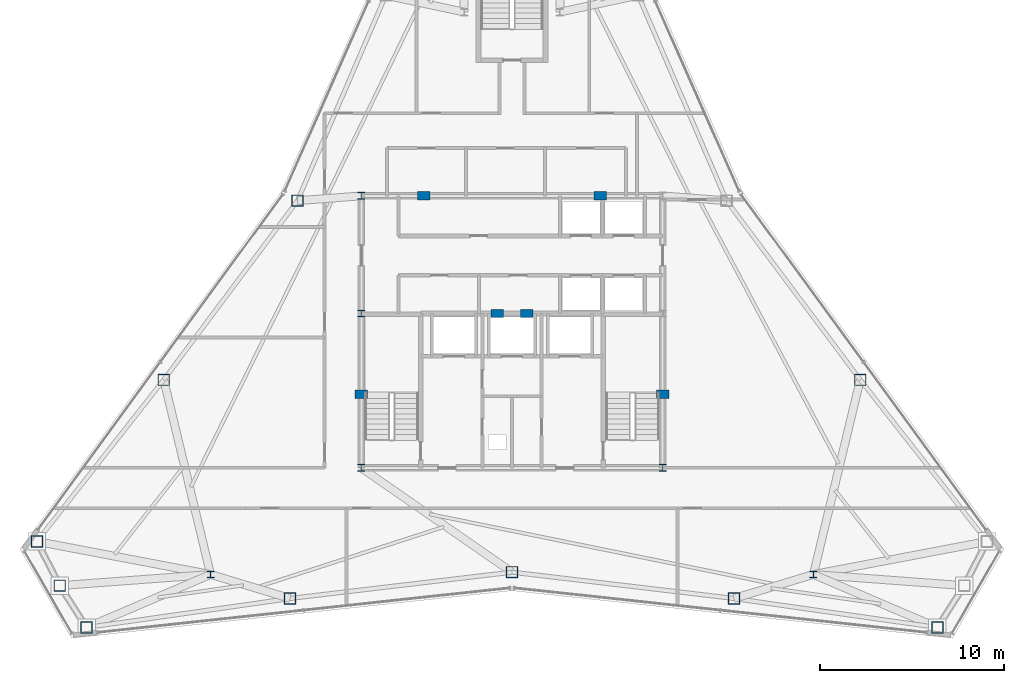
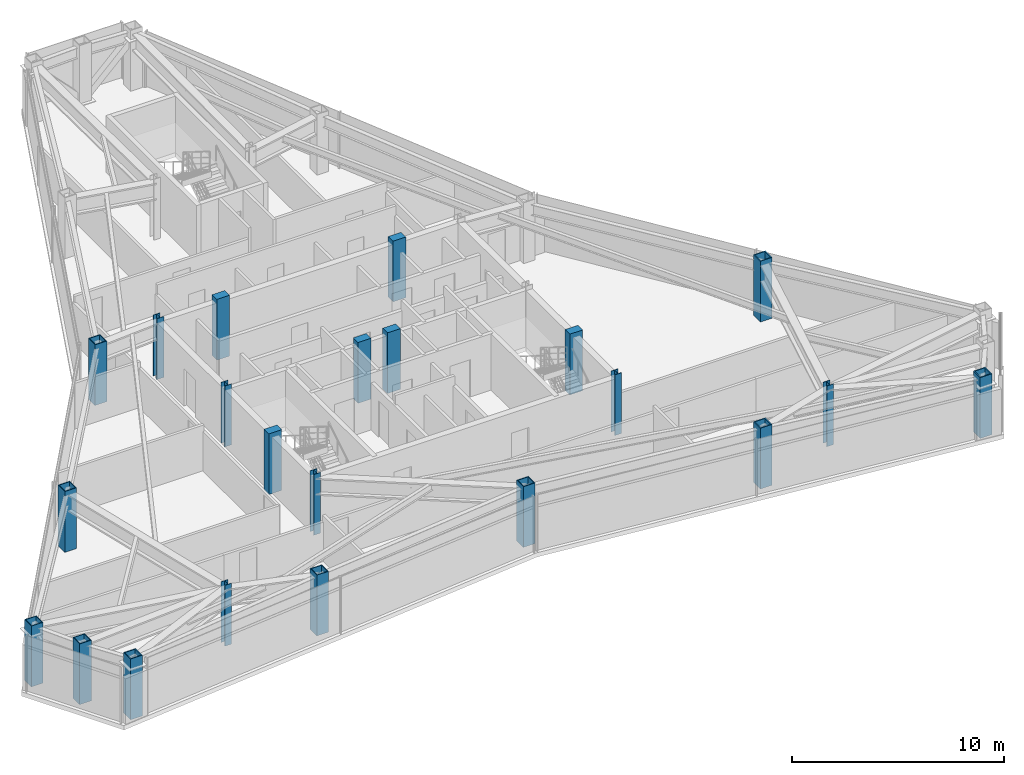
# One storey, part 1 of 12: 22 columns.
"""IFC4 building model written with IfcOpenShell, lengths in metres."""

import ifcopenshell
import ifcopenshell.guid

model = None  # the IFC model being written
_history = None  # IfcOwnerHistory: only IFC2X3 demands one
_inside = {}  # id of a spatial element -> (the spatial element, [elements in it])
_under = {}  # id of a project, library or spatial element -> (it, [spatial elements below it])
_declared = {}  # id of a project -> (the project, [libraries it declares])
_typed = {}  # id of a type object -> (the type object, [elements of that type])
_made_of = {}  # id of a material, layer set ... -> (it, [elements and type objects made of it])


def new_model(schema):
    """Start an empty IFC model of exactly this schema.

    Asked for "IFC4X3", IfcOpenShell would pick the latest addendum, in which some entities
    have other attributes; the version numbers below select the first issue.
    IFC2X3 requires an IfcOwnerHistory on every rooted entity: one is made here for all.
    """
    global model, _history
    if schema == "IFC4X3":
        model = ifcopenshell.file(schema_version=(4, 3, 0, 0))
    else:
        model = ifcopenshell.file(schema=schema)
    _inside.clear()
    _under.clear()
    _declared.clear()
    _typed.clear()
    _made_of.clear()
    _history = None
    if model.schema == "IFC2X3":
        org = make("IfcOrganization", Name="unknown")
        user = make(
            "IfcPersonAndOrganization",
            ThePerson=make("IfcPerson", FamilyName="unknown"),
            TheOrganization=org,
        )
        app = make(
            "IfcApplication",
            ApplicationDeveloper=org,
            Version="unknown",
            ApplicationFullName="unknown",
            ApplicationIdentifier="unknown",
        )
        _history = make(
            "IfcOwnerHistory",
            OwningUser=user,
            OwningApplication=app,
            ChangeAction="ADDED",
            CreationDate=0,
        )
    return model


def make(cls, **values):
    """One entity of the class cls with the attributes given. An attribute that is None is left unset."""
    return model.create_entity(
        cls, **{name: value for name, value in values.items() if value is not None}
    )


def rooted(cls, **values):
    """An entity with a GlobalId (a new one), such as an element, a storey or a relation."""
    return make(cls, GlobalId=ifcopenshell.guid.new(), OwnerHistory=_history, **values)


def si_unit(unit_type, name, prefix=None):
    """IfcSIUnit, for example si_unit("LENGTHUNIT", "METRE", prefix="MILLI")."""
    return make("IfcSIUnit", UnitType=unit_type, Prefix=prefix, Name=name)


def assignment(units):
    """IfcUnitAssignment: the units of a project."""
    return None if units is None else make("IfcUnitAssignment", Units=units)


def point(xyz):
    """IfcCartesianPoint."""
    return None if xyz is None else make("IfcCartesianPoint", Coordinates=xyz)


def direction(xyz):
    """IfcDirection."""
    return None if xyz is None else make("IfcDirection", DirectionRatios=xyz)


def frame(location, z_axis=None, x_axis=None):
    """IfcAxis2Placement3D, a coordinate frame: its origin and axes. An axis left out is left unset."""
    return make(
        "IfcAxis2Placement3D",
        Location=point(location),
        Axis=direction(z_axis),
        RefDirection=direction(x_axis),
    )


def frame_2d(location, x_axis=None):
    """IfcAxis2Placement2D, a coordinate frame in the plane: its origin and x axis."""
    return make(
        "IfcAxis2Placement2D", Location=point(location), RefDirection=direction(x_axis)
    )


def origin():
    """The frame at (0, 0, 0) with its axes left unset."""
    return frame((0.0, 0.0, 0.0))


def origin_2d():
    """The frame at (0, 0) in the plane with its x axis left unset."""
    return frame_2d((0.0, 0.0))


def place(relative_to, where):
    """IfcLocalPlacement: puts the frame where relative to a parent placement (None: the world)."""
    return make(
        "IfcLocalPlacement", PlacementRelTo=relative_to, RelativePlacement=where
    )


def context(
    kind, dimensions, precision=None, world=None, true_north=None, identifier=None
):
    """IfcGeometricRepresentationContext, for example the 3D "Model" context."""
    return make(
        "IfcGeometricRepresentationContext",
        ContextIdentifier=identifier,
        ContextType=kind,
        CoordinateSpaceDimension=dimensions,
        Precision=precision,
        WorldCoordinateSystem=world,
        TrueNorth=true_north,
    )


def subcontext(parent, identifier, kind, view, scale=None):
    """IfcGeometricRepresentationSubContext, for example "Body" below "Model"."""
    return make(
        "IfcGeometricRepresentationSubContext",
        ContextIdentifier=identifier,
        ContextType=kind,
        ParentContext=parent,
        TargetScale=scale,
        TargetView=view,
    )


def project(units=None, contexts=None):
    """IfcProject with its units and contexts."""
    return rooted(
        "IfcProject",
        Name="project",
        RepresentationContexts=contexts,
        UnitsInContext=assignment(units),
    )


def spatial(cls, under=None, at=None, **own):
    """A site, building, storey or space (cls), placed at a placement, below another one or the project."""
    s = rooted(cls, ObjectPlacement=at, **own)
    if under is not None:
        _under.setdefault(under.id(), (under, []))[1].append(s)
    return s


def profile(cls, at=None, kind="AREA", **sizes):
    """A parametric profile (cls). Its sizes go by their IFC names, for example OverallWidth=200.0."""
    return make(cls, ProfileType=kind, Position=at, **sizes)


def rectangle(**sizes):
    """IfcRectangleProfileDef."""
    return profile("IfcRectangleProfileDef", **sizes)


def hollow_rectangle(**sizes):
    """IfcRectangleHollowProfileDef."""
    return profile("IfcRectangleHollowProfileDef", **sizes)


def i_section(**sizes):
    """IfcIShapeProfileDef."""
    return profile("IfcIShapeProfileDef", **sizes)


def extrude(swept, where, along, depth):
    """IfcExtrudedAreaSolid: the profile swept, set in the frame where, extruded along a direction by depth."""
    return make(
        "IfcExtrudedAreaSolid",
        SweptArea=swept,
        Position=where,
        ExtrudedDirection=direction(along),
        Depth=depth,
    )


def shape(context_of_items, identifier, shape_type, items):
    """IfcShapeRepresentation: the items that make up one representation, for example the "Body"."""
    return make(
        "IfcShapeRepresentation",
        ContextOfItems=context_of_items,
        RepresentationIdentifier=identifier,
        RepresentationType=shape_type,
        Items=items,
    )


def material(Name=None, Category=None):
    """IfcMaterial."""
    return make("IfcMaterial", Name=Name, Category=Category)


def material_profile(
    of_material, cross_section, Name=None, Category=None, Priority=None
):
    """IfcMaterialProfile: a cross section and its material."""
    return make(
        "IfcMaterialProfile",
        Name=Name,
        Material=of_material,
        Profile=cross_section,
        Priority=Priority,
        Category=Category,
    )


def profile_set(profiles, Name=None, composite=None):
    """IfcMaterialProfileSet."""
    return make(
        "IfcMaterialProfileSet",
        Name=Name,
        MaterialProfiles=profiles,
        CompositeProfile=composite,
    )


def made_of(thing, what):
    """Note that an element or type object is made of a material, layer set ...; save() writes the relation."""
    if what is not None:
        _made_of.setdefault(what.id(), (what, []))[1].append(thing)
    return thing


def type_object(cls, material=None, **own):
    """A type object (cls), such as IfcWallType, which elements share."""
    return made_of(rooted(cls, **own), material)


def element(
    cls,
    number,
    at=None,
    inside=None,
    cuts=None,
    type_object=None,
    material=None,
    context=None,
    identifier="Body",
    shape_type=None,
    held_by="IfcProductDefinitionShape",
    body=None,
    shapes=None,
    **own,
):
    """One element of the class cls, such as IfcWall. Its Tag is "e" and its number.

    at: its placement. inside: the storey or other place that contains it. cuts: it is an
    opening in that element (IfcRelVoidsElement). A single representation is given by context,
    identifier, shape_type and body (its items); several are given by shapes. held_by: the class
    of the entity that holds the representations. save() writes the other relations.
    """
    e = rooted(cls, Tag="e%d" % number, ObjectPlacement=at, **own)
    if body is not None:
        shapes = [shape(context, identifier, shape_type, body)]
    if shapes is not None:
        e.Representation = make(held_by, Representations=shapes)
    if inside is not None:
        _inside.setdefault(inside.id(), (inside, []))[1].append(e)
    if cuts is not None:
        rooted(
            "IfcRelVoidsElement", RelatingBuildingElement=cuts, RelatedOpeningElement=e
        )
    if type_object is not None:
        _typed.setdefault(type_object.id(), (type_object, []))[1].append(e)
    return made_of(e, material)


def aggregate(whole, parts):
    """IfcRelAggregates: a whole, such as a stair, and the parts it consists of."""
    return rooted("IfcRelAggregates", RelatingObject=whole, RelatedObjects=parts)


def save(model, path):
    """Write the relations noted so far, then the file.

    IfcRelAggregates (storeys below a building ...), IfcRelContainedInSpatialStructure (elements
    in a storey), IfcRelDefinesByType, IfcRelAssociatesMaterial and IfcRelDeclares: one each for
    every whole, place, type object, material and project.
    """
    for whole, parts in _under.values():
        aggregate(whole, parts)
    for where, things in _inside.values():
        rooted(
            "IfcRelContainedInSpatialStructure",
            RelatedElements=things,
            RelatingStructure=where,
        )
    for kind, things in _typed.values():
        rooted("IfcRelDefinesByType", RelatedObjects=things, RelatingType=kind)
    for what, things in _made_of.values():
        rooted("IfcRelAssociatesMaterial", RelatedObjects=things, RelatingMaterial=what)
    for by, libraries in _declared.values():
        rooted("IfcRelDeclares", RelatingContext=by, RelatedDefinitions=libraries)
    model.write(path)


model = new_model("IFC4")

# Units and contexts
model_context = context("Model", 3, precision=1e-05, world=origin(), true_north=direction((0.0, 1.0)))
body_context = subcontext(model_context, "Body", "Model", "MODEL_VIEW")
ifc_project = project(units=[si_unit("LENGTHUNIT", "METRE"), si_unit("AREAUNIT", "SQUARE_METRE"), si_unit("VOLUMEUNIT", "CUBIC_METRE"), si_unit("PLANEANGLEUNIT", "RADIAN"), si_unit("MASSUNIT", "GRAM", prefix="KILO")], contexts=[model_context])

# Site, building, storey
site_placement = place(None, origin())
site = spatial("IfcSite", under=ifc_project, at=site_placement, CompositionType="ELEMENT")
building_placement = place(site_placement, origin())
building = spatial("IfcBuilding", under=site, at=building_placement, Name="Varakhsha Concourse Tower", CompositionType="ELEMENT")
storey_placement = place(building_placement, frame((0.0, 0.0, 272.5)))
storey = spatial("IfcBuildingStorey", under=building, at=storey_placement, Name="L77", CompositionType="ELEMENT", Elevation=272.5)

# Columns
ifc_material_1 = material(Name="Structural Steel ASTM A992 Grade 50", Category="steel")
ifc_material_profile_1 = material_profile(ifc_material_1, i_section(OverallWidth=0.3740234375, OverallDepth=0.3720703125, WebThickness=0.01611328125, FlangeThickness=0.02587890625, at=origin_2d()), Name="W14X132")
ifc_profile_set_1 = profile_set([ifc_material_profile_1], Name="Structural Steel ASTM A992 Grade 50")
column_type_1 = type_object("IfcColumnType", Name="CL-CORE-W14X132", PredefinedType="COLUMN", material=ifc_profile_set_1)
for number, where, z_axis, x_axis, name in (
    (1, (31.800048828125, 16.39990234375, 0.0), (0.0, 0.0, 1.0), (1.0, 0.0, 0.0), "L77 Core Column CC-SW"),
    (2, (48.199951171875, 16.39990234375, 0.0), (0.0, 0.0, 1.0), (1.0, 0.0, 0.0), "L77 Core Column CC-SE"),
    (3, (31.800048828125, 24.800048828125, 0.0), (0.0, 0.0, 1.0), (1.0, 0.0, 0.0), "L77 Core Column CC-MW"),
    (4, (31.800048828125, 31.199951171875, 0.0), (0.0, 0.0, 1.0), (1.0, 0.0, 0.0), "L77 Core Column CC-NW"),
    (5, (23.60009765625, 10.60009765625, 0.0), (0.0, 0.0, 1.0), (1.0, 0.0, 0.0), "L77 Core Column SS-W"),
    (6, (56.39990234375, 10.60009765625, 0.0), (0.0, 0.0, 1.0), (1.0, 0.0, 0.0), "L77 Core Column SS-E"),
):
    element("IfcColumn", number, at=place(storey_placement, frame(where, z_axis=z_axis, x_axis=x_axis)), inside=storey, type_object=column_type_1, Name=name, PredefinedType="COLUMN", context=body_context, shape_type="SweptSolid", body=[
        extrude(i_section(OverallWidth=0.3740234375, OverallDepth=0.3720703125, WebThickness=0.01611328125, FlangeThickness=0.02587890625, at=origin_2d()), origin(), (0.0, 0.0, 1.0), 3.5),
    ])
ifc_material_2 = material(Name="Concrete fc 65 MPa", Category="concrete")
ifc_material_profile_2 = material_profile(ifc_material_2, rectangle(XDim=0.699951171875, YDim=0.449951171875, at=origin_2d()), Name="RC 700x450")
ifc_profile_set_2 = profile_set([ifc_material_profile_2], Name="Concrete fc 65 MPa")
column_type_2 = type_object("IfcColumnType", Name="CL-PIL-700X450", PredefinedType="PILASTER", material=ifc_profile_set_2)
for number, where, z_axis, x_axis, name in (
    (7, (31.800048828125, 20.39990234375, 0.0), (0.0, 0.0, 1.0), (1.0, 0.0, 0.0), "L77 Core Boundary Pilaster PIL-W1"),
    (8, (48.199951171875, 20.39990234375, 0.0), (0.0, 0.0, 1.0), (1.0, 0.0, 0.0), "L77 Core Boundary Pilaster PIL-E1"),
    (9, (35.199951171875, 31.199951171875, 0.0), (0.0, 0.0, 1.0), (1.0, 0.0, 0.0), "L77 Core Boundary Pilaster PIL-N1"),
    (10, (44.800048828125, 31.199951171875, 0.0), (0.0, 0.0, 1.0), (1.0, 0.0, 0.0), "L77 Core Boundary Pilaster PIL-N2"),
    (11, (39.199951171875, 24.800048828125, 0.0), (0.0, 0.0, 1.0), (1.0, 0.0, 0.0), "L77 Core Boundary Pilaster PIL-M1"),
    (12, (40.800048828125, 24.800048828125, 0.0), (0.0, 0.0, 1.0), (1.0, 0.0, 0.0), "L77 Core Boundary Pilaster PIL-M2"),
):
    element("IfcColumn", number, at=place(storey_placement, frame(where, z_axis=z_axis, x_axis=x_axis)), inside=storey, type_object=column_type_2, Name=name, PredefinedType="PILASTER", context=body_context, shape_type="SweptSolid", body=[
        extrude(rectangle(XDim=0.699951171875, YDim=0.449951171875, at=origin_2d()), origin(), (0.0, 0.0, 1.0), 3.5),
    ])
ifc_material_3 = material(Name="Structural Steel ASTM A572 Grade 50", Category="steel")
ifc_material_profile_3 = material_profile(ifc_material_3, hollow_rectangle(XDim=0.639892578125, YDim=0.639892578125, WallThickness=0.044921875, at=origin_2d()), Name="BOX 640x640x45")
ifc_profile_set_3 = profile_set([ifc_material_profile_3], Name="Structural Steel ASTM A572 Grade 50")
column_type_3 = type_object("IfcColumnType", Name="CL-TUBE-640", PredefinedType="COLUMN", material=ifc_profile_set_3)
for number, where, z_axis, x_axis, name in (
    (13, (28.3291015625, 30.938232421875, 0.0), (0.0, 0.0, 1.0), (1.0, 0.0, 0.0), "L77 Framed-Tube Column TC05"),
    (14, (21.05078125, 21.191162109375, 0.0), (0.0, 0.0, 1.0), (1.0, 0.0, 0.0), "L77 Framed-Tube Column TC06"),
    (15, (14.148681640625, 12.396728515625, 0.0), (0.0, 0.0, 1.0), (1.0, 0.0, 0.0), "L77 Framed-Tube Column TC07"),
    (16, (15.39013671875, 9.991455078125, 0.0), (0.0, 0.0, 1.0), (1.0, 0.0, 0.0), "L77 Framed-Tube Column TC08"),
    (17, (16.852294921875, 7.713623046875, 0.0), (0.0, 0.0, 1.0), (1.0, 0.0, 0.0), "L77 Framed-Tube Column TC09"),
    (18, (27.919677734375, 9.2939453125, 0.0), (0.0, 0.0, 1.0), (1.0, 0.0, 0.0), "L77 Framed-Tube Column TC10"),
    (19, (40.0, 10.7236328125, 0.0), (0.0, 0.0, 1.0), (1.0, 0.0, 0.0), "L77 Framed-Tube Column TC11"),
    (20, (52.080322265625, 9.2939453125, 0.0), (0.0, 0.0, 1.0), (1.0, 0.0, 0.0), "L77 Framed-Tube Column TC12"),
    (21, (63.147705078125, 7.713623046875, 0.0), (0.0, 0.0, 1.0), (1.0, 0.0, 0.0), "L77 Framed-Tube Column TC13"),
    (22, (58.94921875, 21.191162109375, 0.0), (0.0, 0.0, 1.0), (1.0, 0.0, 0.0), "L77 Framed-Tube Column TC16"),
):
    element("IfcColumn", number, at=place(storey_placement, frame(where, z_axis=z_axis, x_axis=x_axis)), inside=storey, type_object=column_type_3, Name=name, PredefinedType="COLUMN", context=body_context, shape_type="SweptSolid", body=[
        extrude(hollow_rectangle(XDim=0.639892578125, YDim=0.639892578125, WallThickness=0.044921875, at=origin_2d()), origin(), (0.0, 0.0, 1.0), 3.5),
    ])

save(model, "model.ifc")
